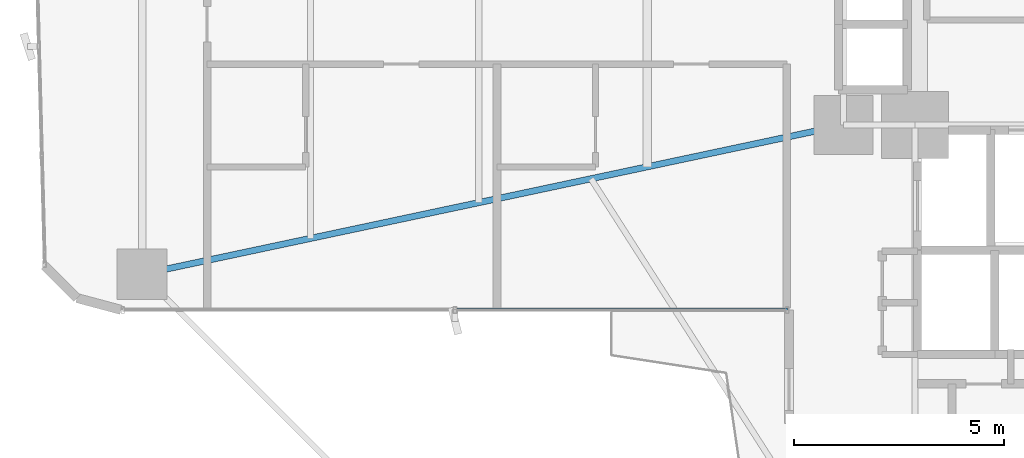
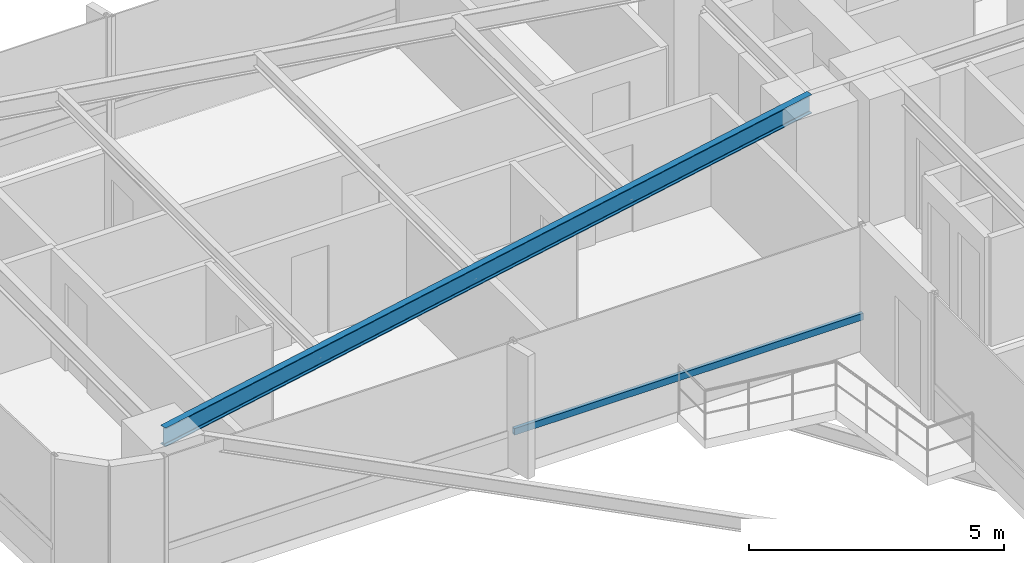
# One storey, part 7 of 26: 1 beam, 1 member, 1 element without a shape of its own.
"""IFC4 building model written with IfcOpenShell, lengths in metres."""

from ifc_helpers import new_model, si_unit, direction, frame, origin, origin_2d, place, context, subcontext, project, spatial, hollow_rectangle, i_section, extrude, source, transform, mapped, material, material_profile, profile_set, type_object, element, aggregate, save


model = new_model("IFC4")

# Units and contexts
model_context = context("Model", 3, precision=1e-05, world=origin(), true_north=direction((0.0, 1.0)))
body_context = subcontext(model_context, "Body", "Model", "MODEL_VIEW")
ifc_project = project(units=[si_unit("LENGTHUNIT", "METRE"), si_unit("AREAUNIT", "SQUARE_METRE"), si_unit("VOLUMEUNIT", "CUBIC_METRE"), si_unit("PLANEANGLEUNIT", "RADIAN"), si_unit("MASSUNIT", "GRAM", prefix="KILO")], contexts=[model_context])

# Site, building, storey
site_placement = place(None, origin())
site = spatial("IfcSite", under=ifc_project, at=site_placement, CompositionType="ELEMENT")
building_placement = place(site_placement, origin())
building = spatial("IfcBuilding", under=site, at=building_placement, Name="Sahyath Konkavel Grand Hotel", CompositionType="ELEMENT")
storey_placement = place(building_placement, frame((0.0, 0.0, 43.199951171875)))
storey = spatial("IfcBuildingStorey", under=building, at=storey_placement, Name="L11", CompositionType="ELEMENT", Elevation=43.199951171875)

# Beam
ifc_material_1 = material(Name="Steel E350", Category="steel")
ifc_material_profile_1 = material_profile(ifc_material_1, i_section(OverallWidth=0.14990234375, OverallDepth=0.449951171875, WebThickness=0.009521484375, FlangeThickness=0.017333984375, FilletRadius=0.014892578125, at=origin_2d()), Name="ISMB 450")
ifc_profile_set_1 = profile_set([ifc_material_profile_1], Name="Steel E350")
beam_type = type_object("IfcBeamType", Name="BM-ISMB450", PredefinedType="BEAM", material=ifc_profile_set_1)
shared_shape_1 = source(origin(), body_context, "Body", "SweptSolid", [
    extrude(i_section(OverallWidth=0.14990234375, OverallDepth=0.449951171875, WebThickness=0.009521484375, FlangeThickness=0.017333984375, FilletRadius=0.014892578125, at=origin_2d()), origin(), (0.0, 0.0, 1.0), 17.072998046875),
])
beam_placement = place(storey_placement, frame((-5.5, -2.39990234375, 2.824951171875), z_axis=(-0.978143257225, -0.20793212437, 0.0), x_axis=(0.20793212437, -0.978143257225, 0.0)))
element("IfcBeam", 1, at=beam_placement, inside=storey, type_object=beam_type, Name="L11 Cruciform Radial Girder WB", PredefinedType="BEAM", context=body_context, shape_type="MappedRepresentation", body=[
    mapped(shared_shape_1, transform((0.0, 0.0, 0.0), scale=1.0)),
])

# Curtain wall, member
ifc_material_2 = material(Name="Anodised Bronze Aluminium & Low-E Glazing", Category="aluminium")
curtain_wall_type = type_object("IfcCurtainWallType", Name="CW-ZONE1", PredefinedType="NOTDEFINED", material=ifc_material_2)
curtain_wall_placement = place(storey_placement, origin())
curtain_wall = element("IfcCurtainWall", 2, at=curtain_wall_placement, inside=storey, type_object=curtain_wall_type, Name="L11 Unitised Curtain Wall F23", PredefinedType="NOTDEFINED")
ifc_material_3 = material(Name="Anodised Bronze Aluminium", Category="aluminium")
ifc_material_profile_2 = material_profile(ifc_material_3, hollow_rectangle(XDim=0.080078125, YDim=0.159912109375, WallThickness=0.006103515625, at=origin_2d()), Name="RHS 160x80x6")
ifc_profile_set_2 = profile_set([ifc_material_profile_2], Name="Anodised Bronze Aluminium")
member_type = type_object("IfcMemberType", Name="CW-TRN-160", PredefinedType="USERDEFINED", material=ifc_profile_set_2)
shared_shape_2 = source(origin(), body_context, "Body", "SweptSolid", [
    extrude(hollow_rectangle(XDim=0.080078125, YDim=0.159912109375, WallThickness=0.006103515625, at=origin_2d()), origin(), (0.0, 0.0, 1.0), 7.909912109375),
])
member_placement = place(storey_placement, frame((-14.75, -6.800048828125, 0.85009765625), z_axis=(1.0, 0.0, 0.0), x_axis=(0.0, 1.0, 0.0)))
member = element("IfcMember", 3, at=member_placement, type_object=member_type, Name="L11 Curtain Wall Transom F23-1-spandrel", ObjectType="TRANSOM", PredefinedType="USERDEFINED", context=body_context, shape_type="MappedRepresentation", body=[
    mapped(shared_shape_2, transform((0.0, 0.0, 0.0), scale=1.0)),
])
aggregate(curtain_wall, [member])

save(model, "model.ifc")
